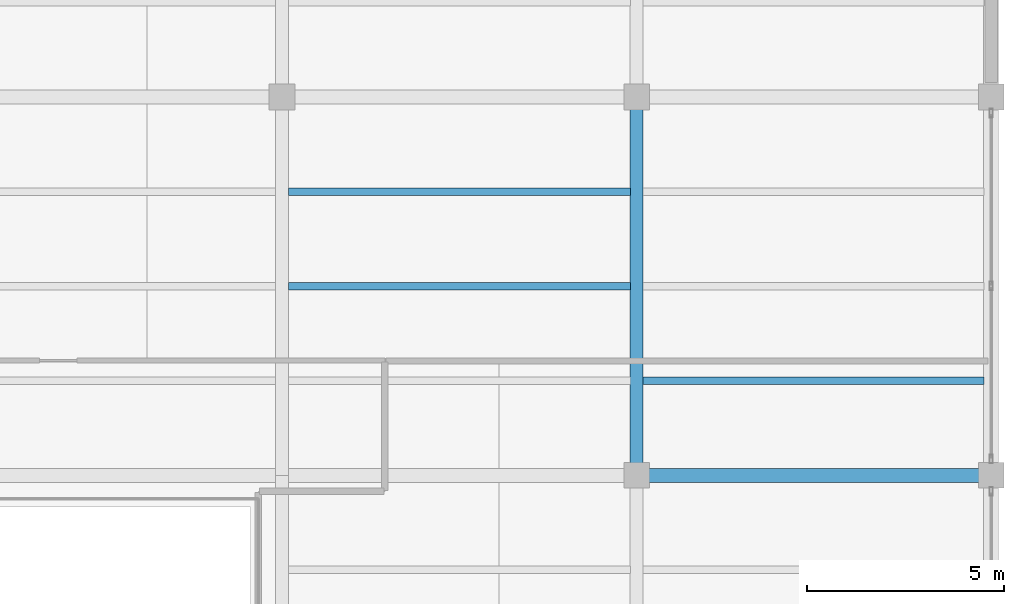
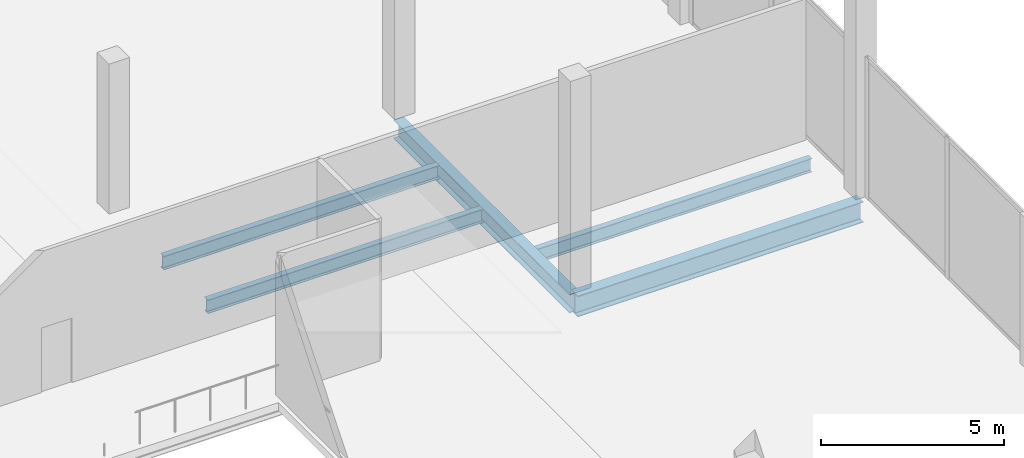
# One storey, part 21 of 43: 5 beams.
"""IFC4 building model written with IfcOpenShell, lengths in metres."""

from ifc_helpers import new_model, si_unit, direction, frame, origin, origin_2d, place, context, subcontext, project, spatial, i_section, extrude, material, material_profile, profile_set, type_object, element, save


model = new_model("IFC4")

# Units and contexts
model_context = context("Model", 3, precision=1e-05, world=origin(), true_north=direction((0.0, 1.0)))
body_context = subcontext(model_context, "Body", "Model", "MODEL_VIEW")
ifc_project = project(units=[si_unit("LENGTHUNIT", "METRE"), si_unit("AREAUNIT", "SQUARE_METRE"), si_unit("VOLUMEUNIT", "CUBIC_METRE"), si_unit("PLANEANGLEUNIT", "RADIAN"), si_unit("MASSUNIT", "GRAM", prefix="KILO")], contexts=[model_context])

# Site, building, storey
site_placement = place(None, origin())
site = spatial("IfcSite", under=ifc_project, at=site_placement, CompositionType="ELEMENT")
building_placement = place(site_placement, origin())
building = spatial("IfcBuilding", under=site, at=building_placement, Name="Qorvath Tower", CompositionType="ELEMENT")
storey_placement = place(building_placement, frame((0.0, 0.0, 22.0)))
storey = spatial("IfcBuildingStorey", under=building, at=storey_placement, Name="L04", CompositionType="ELEMENT", Elevation=22.0)

# Beams
ifc_material_1 = material(Name="Steel ASTM A992 Grade 50", Category="steel")
ifc_material_profile_1 = material_profile(ifc_material_1, i_section(OverallWidth=0.35595703125, OverallDepth=0.696044921875, WebThickness=0.015380859375, FlangeThickness=0.02490234375, FilletRadius=0.01806640625, at=origin_2d()), Name="W27x146")
ifc_profile_set_1 = profile_set([ifc_material_profile_1], Name="Steel ASTM A992 Grade 50")
beam_type_1 = type_object("IfcBeamType", Name="BM-FG4", PredefinedType="BEAM", material=ifc_profile_set_1)
beam_1_placement = place(storey_placement, frame((68.39990234375, 9.60009765625, -0.60791015625), z_axis=(1.0, 0.0, 0.0), x_axis=(0.0, 1.0, 0.0)))
element("IfcBeam", 1, at=beam_1_placement, inside=storey, type_object=beam_type_1, Name="Library E-W Girder L04-6-5", PredefinedType="BEAM", context=body_context, shape_type="SweptSolid", body=[
    extrude(i_section(OverallWidth=0.35595703125, OverallDepth=0.696044921875, WebThickness=0.015380859375, FlangeThickness=0.02490234375, FilletRadius=0.01806640625, at=origin_2d()), origin(), (0.0, 0.0, 1.0), 9.0),
])
ifc_material_2 = material(Name="Steel ASTM A992 Grade 50", Category="steel")
ifc_material_profile_2 = material_profile(ifc_material_2, i_section(OverallWidth=0.324951171875, OverallDepth=0.615966796875, WebThickness=0.013916015625, FlangeThickness=0.021484375, FilletRadius=0.01611328125, at=origin_2d()), Name="W24x117")
ifc_profile_set_2 = profile_set([ifc_material_profile_2], Name="Steel ASTM A992 Grade 50")
beam_type_2 = type_object("IfcBeamType", Name="BM-FG5", PredefinedType="BEAM", material=ifc_profile_set_2)
beam_2_placement = place(storey_placement, frame((68.39990234375, 9.60009765625, -0.568115234375), z_axis=(0.0, 1.0, 0.0), x_axis=(-1.0, 0.0, 0.0)))
element("IfcBeam", 2, at=beam_2_placement, inside=storey, type_object=beam_type_2, Name="Library N-S Girder L04-5-6", PredefinedType="BEAM", context=body_context, shape_type="SweptSolid", body=[
    extrude(i_section(OverallWidth=0.324951171875, OverallDepth=0.615966796875, WebThickness=0.013916015625, FlangeThickness=0.021484375, FilletRadius=0.01611328125, at=origin_2d()), origin(), (0.0, 0.0, 1.0), 9.599853515625),
])
ifc_material_3 = material(Name="Steel ASTM A992 Grade 50", Category="steel")
ifc_material_profile_3 = material_profile(ifc_material_3, i_section(OverallWidth=0.18994140625, OverallDepth=0.45703125, WebThickness=0.009033203125, FlangeThickness=0.014404296875, FilletRadius=0.011962890625, at=origin_2d()), Name="W18x50")
ifc_profile_set_3 = profile_set([ifc_material_profile_3], Name="Steel ASTM A992 Grade 50")
beam_type_3 = type_object("IfcBeamType", Name="BM-FJ2", PredefinedType="JOIST", material=ifc_profile_set_3)
beam_3_placement = place(storey_placement, frame((68.560546875, 12.0, -0.488525390625), z_axis=(1.0, 0.0, 0.0), x_axis=(0.0, 1.0, 0.0)))
element("IfcBeam", 3, at=beam_3_placement, inside=storey, type_object=beam_type_3, Name="Library Stack Joist L04-6.1-5", PredefinedType="JOIST", context=body_context, shape_type="SweptSolid", body=[
    extrude(i_section(OverallWidth=0.18994140625, OverallDepth=0.45703125, WebThickness=0.009033203125, FlangeThickness=0.014404296875, FilletRadius=0.011962890625, at=origin_2d()), origin(), (0.0, 0.0, 1.0), 8.65087890625),
])
for number, where, z_axis, x_axis, name in (
    (4, (59.560546875, 14.39990234375, -0.488525390625), (1.0, 0.0, 0.0), (0.0, 1.0, 0.0), "Library Stack Joist L04-6.2-4"),
    (5, (59.560546875, 16.800048828125, -0.488525390625), (1.0, 0.0, 0.0), (0.0, 1.0, 0.0), "Library Stack Joist L04-6.3-4"),
):
    element("IfcBeam", number, at=place(storey_placement, frame(where, z_axis=z_axis, x_axis=x_axis)), inside=storey, type_object=beam_type_3, Name=name, PredefinedType="JOIST", context=body_context, shape_type="SweptSolid", body=[
        extrude(i_section(OverallWidth=0.18994140625, OverallDepth=0.45703125, WebThickness=0.009033203125, FlangeThickness=0.014404296875, FilletRadius=0.011962890625, at=origin_2d()), origin(), (0.0, 0.0, 1.0), 8.678955078125),
    ])

save(model, "model.ifc")
